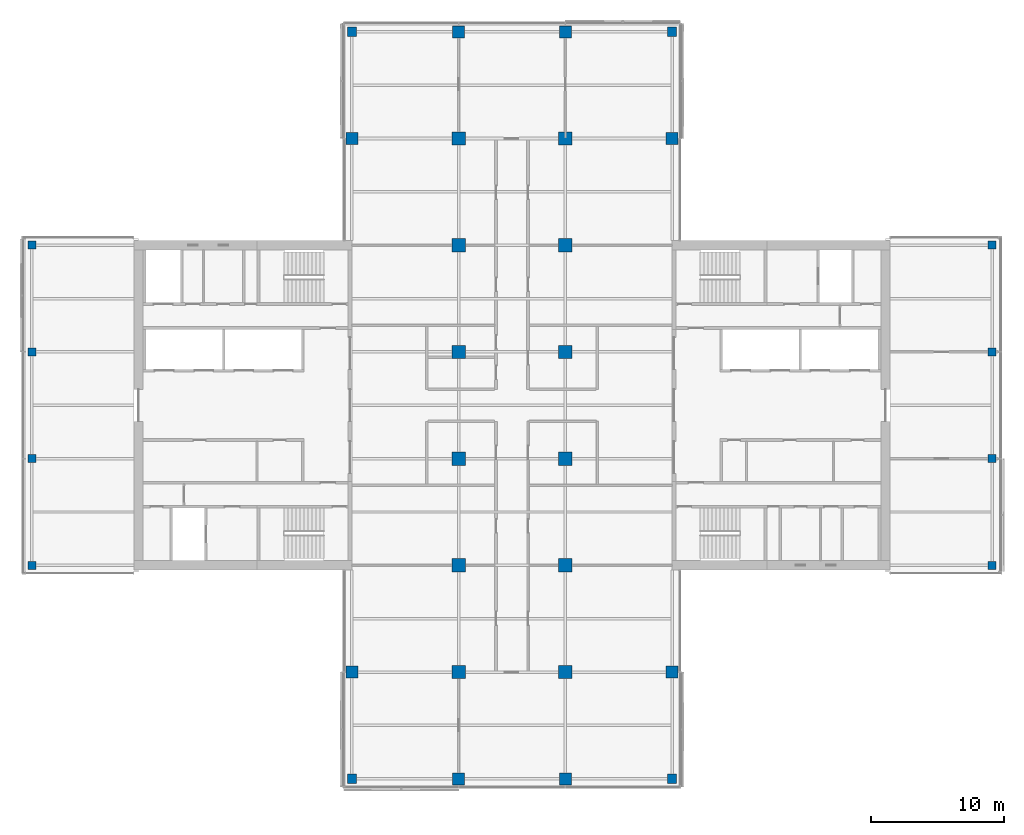
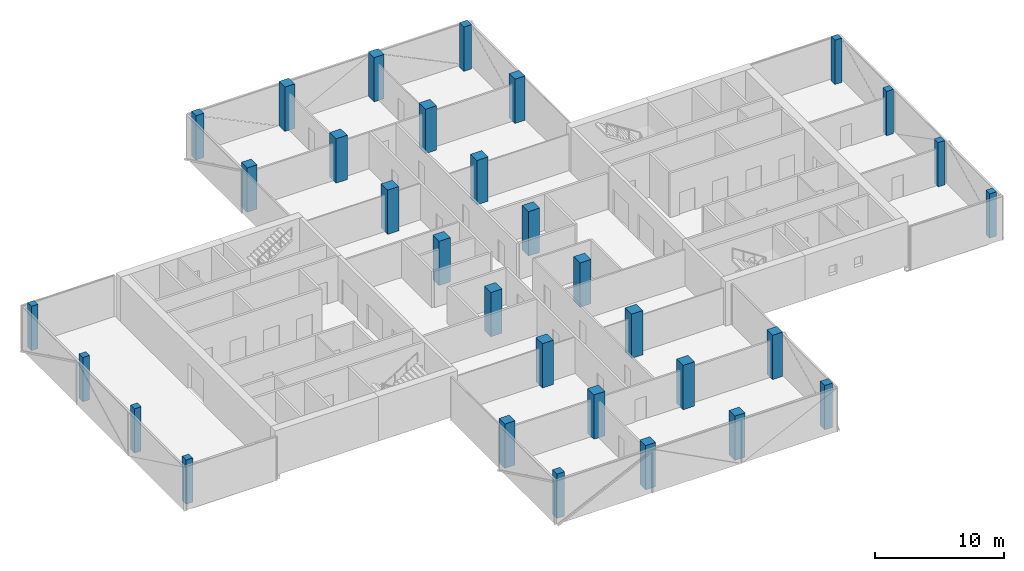
# One storey, part 1 of 22: 32 columns.
"""IFC4 building model written with IfcOpenShell, lengths in metres."""

from ifc_helpers import new_model, si_unit, direction, frame, origin, origin_2d, place, context, subcontext, project, spatial, rectangle, extrude, material, material_profile, profile_set, type_object, element, save


model = new_model("IFC4")

# Units and contexts
model_context = context("Model", 3, precision=1e-05, world=origin(), true_north=direction((0.0, 1.0)))
body_context = subcontext(model_context, "Body", "Model", "MODEL_VIEW")
ifc_project = project(units=[si_unit("LENGTHUNIT", "METRE"), si_unit("AREAUNIT", "SQUARE_METRE"), si_unit("VOLUMEUNIT", "CUBIC_METRE"), si_unit("PLANEANGLEUNIT", "RADIAN"), si_unit("MASSUNIT", "GRAM", prefix="KILO")], contexts=[model_context])

# Site, building, storey
site_placement = place(None, origin())
site = spatial("IfcSite", under=ifc_project, at=site_placement, CompositionType="ELEMENT")
building_placement = place(site_placement, origin())
building = spatial("IfcBuilding", under=site, at=building_placement, Name="Crosswind Convention Tower", CompositionType="ELEMENT")
storey_placement = place(building_placement, frame((0.0, 0.0, 137.89990234375)))
storey = spatial("IfcBuildingStorey", under=building, at=storey_placement, Name="L28", CompositionType="ELEMENT", Elevation=137.89990234375)

# Columns
ifc_material_1 = material(Name="Concrete C70/85", Category="concrete")
ifc_material_profile_1 = material_profile(ifc_material_1, rectangle(XDim=1.0, YDim=1.0, at=origin_2d()), Name="RC 1000X1000")
ifc_profile_set_1 = profile_set([ifc_material_profile_1], Name="Concrete C70/85")
column_type_1 = type_object("IfcColumnType", Name="Column RC 1000X1000", PredefinedType="COLUMN", material=ifc_profile_set_1)
for number, where, z_axis, x_axis, name in (
    (1, (121.0, 80.0, 0.0), (0.0, 0.0, 1.0), (1.0, 0.0, 0.0), "C12 L28 6/D"),
    (2, (121.0, 88.0, 0.0), (0.0, 0.0, 1.0), (1.0, 0.0, 0.0), "C12 L28 6/E"),
    (3, (121.0, 96.0, 0.0), (0.0, 0.0, 1.0), (1.0, 0.0, 0.0), "C12 L28 6/F"),
    (4, (121.0, 104.0, 0.0), (0.0, 0.0, 1.0), (1.0, 0.0, 0.0), "C12 L28 6/G"),
    (5, (121.0, 112.0, 0.0), (0.0, 0.0, 1.0), (1.0, 0.0, 0.0), "C12 L28 6/H"),
    (6, (121.0, 120.0, 0.0), (0.0, 0.0, 1.0), (1.0, 0.0, 0.0), "C12 L28 6/I"),
    (7, (129.0, 80.0, 0.0), (0.0, 0.0, 1.0), (1.0, 0.0, 0.0), "C12 L28 7/D"),
    (8, (129.0, 88.0, 0.0), (0.0, 0.0, 1.0), (1.0, 0.0, 0.0), "C12 L28 7/E"),
    (9, (129.0, 96.0, 0.0), (0.0, 0.0, 1.0), (1.0, 0.0, 0.0), "C12 L28 7/F"),
    (10, (129.0, 104.0, 0.0), (0.0, 0.0, 1.0), (1.0, 0.0, 0.0), "C12 L28 7/G"),
    (11, (129.0, 112.0, 0.0), (0.0, 0.0, 1.0), (1.0, 0.0, 0.0), "C12 L28 7/H"),
    (12, (129.0, 120.0, 0.0), (0.0, 0.0, 1.0), (1.0, 0.0, 0.0), "C12 L28 7/I"),
):
    element("IfcColumn", number, at=place(storey_placement, frame(where, z_axis=z_axis, x_axis=x_axis)), inside=storey, type_object=column_type_1, Name=name, PredefinedType="COLUMN", context=body_context, shape_type="SweptSolid", body=[
        extrude(rectangle(XDim=1.0, YDim=1.0, at=origin_2d()), origin(), (0.0, 0.0, 1.0), 4.2001953125),
    ])
ifc_material_2 = material(Name="Concrete C60/75", Category="concrete")
ifc_material_profile_2 = material_profile(ifc_material_2, rectangle(XDim=0.60009765625, YDim=0.60009765625, at=origin_2d()), Name="RC 600X600")
ifc_profile_set_2 = profile_set([ifc_material_profile_2], Name="Concrete C60/75")
column_type_2 = type_object("IfcColumnType", Name="Column RC 600X600", PredefinedType="COLUMN", material=ifc_profile_set_2)
for number, where, z_axis, x_axis, name in (
    (13, (89.0, 88.0, 0.0), (0.0, 0.0, 1.0), (1.0, 0.0, 0.0), "C16 L28 2/E"),
    (14, (89.0, 96.0, 0.0), (0.0, 0.0, 1.0), (1.0, 0.0, 0.0), "C16 L28 2/F"),
    (15, (89.0, 104.0, 0.0), (0.0, 0.0, 1.0), (1.0, 0.0, 0.0), "C16 L28 2/G"),
    (16, (89.0, 112.0, 0.0), (0.0, 0.0, 1.0), (1.0, 0.0, 0.0), "C16 L28 2/H"),
    (17, (161.0, 88.0, 0.0), (0.0, 0.0, 1.0), (1.0, 0.0, 0.0), "C16 L28 11/E"),
    (18, (161.0, 96.0, 0.0), (0.0, 0.0, 1.0), (1.0, 0.0, 0.0), "C16 L28 11/F"),
    (19, (161.0, 104.0, 0.0), (0.0, 0.0, 1.0), (1.0, 0.0, 0.0), "C16 L28 11/G"),
    (20, (161.0, 112.0, 0.0), (0.0, 0.0, 1.0), (1.0, 0.0, 0.0), "C16 L28 11/H"),
):
    element("IfcColumn", number, at=place(storey_placement, frame(where, z_axis=z_axis, x_axis=x_axis)), inside=storey, type_object=column_type_2, Name=name, PredefinedType="COLUMN", context=body_context, shape_type="SweptSolid", body=[
        extrude(rectangle(XDim=0.60009765625, YDim=0.60009765625, at=origin_2d()), origin(), (0.0, 0.0, 1.0), 4.2001953125),
    ])
ifc_material_profile_3 = material_profile(ifc_material_2, rectangle(XDim=0.699951171875, YDim=0.699951171875, at=origin_2d()), Name="RC 700X700")
ifc_profile_set_3 = profile_set([ifc_material_profile_3], Name="Concrete C60/75")
column_type_3 = type_object("IfcColumnType", Name="Column RC 700X700", PredefinedType="COLUMN", material=ifc_profile_set_3)
for number, where, z_axis, x_axis, name in (
    (21, (113.0, 72.0, 0.0), (0.0, 0.0, 1.0), (1.0, 0.0, 0.0), "C15 L28 5/C"),
    (22, (113.0, 128.0, 0.0), (0.0, 0.0, 1.0), (1.0, 0.0, 0.0), "C15 L28 5/J"),
    (23, (137.0, 72.0, 0.0), (0.0, 0.0, 1.0), (1.0, 0.0, 0.0), "C15 L28 8/C"),
    (24, (137.0, 128.0, 0.0), (0.0, 0.0, 1.0), (1.0, 0.0, 0.0), "C15 L28 8/J"),
):
    element("IfcColumn", number, at=place(storey_placement, frame(where, z_axis=z_axis, x_axis=x_axis)), inside=storey, type_object=column_type_3, Name=name, PredefinedType="COLUMN", context=body_context, shape_type="SweptSolid", body=[
        extrude(rectangle(XDim=0.699951171875, YDim=0.699951171875, at=origin_2d()), origin(), (0.0, 0.0, 1.0), 4.2001953125),
    ])
ifc_material_profile_4 = material_profile(ifc_material_2, rectangle(XDim=0.89990234375, YDim=0.89990234375, at=origin_2d()), Name="RC 900X900")
ifc_profile_set_4 = profile_set([ifc_material_profile_4], Name="Concrete C60/75")
column_type_4 = type_object("IfcColumnType", Name="Column RC 900X900", PredefinedType="COLUMN", material=ifc_profile_set_4)
for number, where, z_axis, x_axis, name in (
    (25, (113.0, 80.0, 0.0), (0.0, 0.0, 1.0), (1.0, 0.0, 0.0), "C13 L28 5/D"),
    (26, (113.0, 120.0, 0.0), (0.0, 0.0, 1.0), (1.0, 0.0, 0.0), "C13 L28 5/I"),
    (27, (121.0, 72.0, 0.0), (0.0, 0.0, 1.0), (1.0, 0.0, 0.0), "C13 L28 6/C"),
    (28, (121.0, 128.0, 0.0), (0.0, 0.0, 1.0), (1.0, 0.0, 0.0), "C13 L28 6/J"),
    (29, (129.0, 72.0, 0.0), (0.0, 0.0, 1.0), (1.0, 0.0, 0.0), "C13 L28 7/C"),
    (30, (129.0, 128.0, 0.0), (0.0, 0.0, 1.0), (1.0, 0.0, 0.0), "C13 L28 7/J"),
    (31, (137.0, 80.0, 0.0), (0.0, 0.0, 1.0), (1.0, 0.0, 0.0), "C13 L28 8/D"),
    (32, (137.0, 120.0, 0.0), (0.0, 0.0, 1.0), (1.0, 0.0, 0.0), "C13 L28 8/I"),
):
    element("IfcColumn", number, at=place(storey_placement, frame(where, z_axis=z_axis, x_axis=x_axis)), inside=storey, type_object=column_type_4, Name=name, PredefinedType="COLUMN", context=body_context, shape_type="SweptSolid", body=[
        extrude(rectangle(XDim=0.89990234375, YDim=0.89990234375, at=origin_2d()), origin(), (0.0, 0.0, 1.0), 4.2001953125),
    ])

save(model, "model.ifc")
